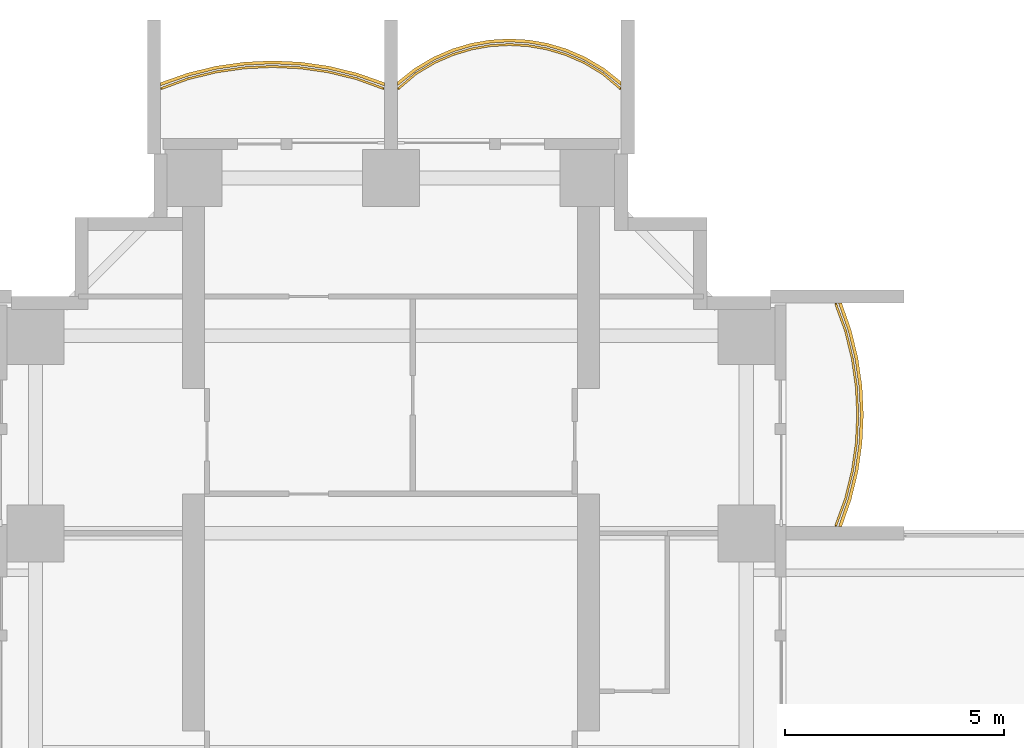
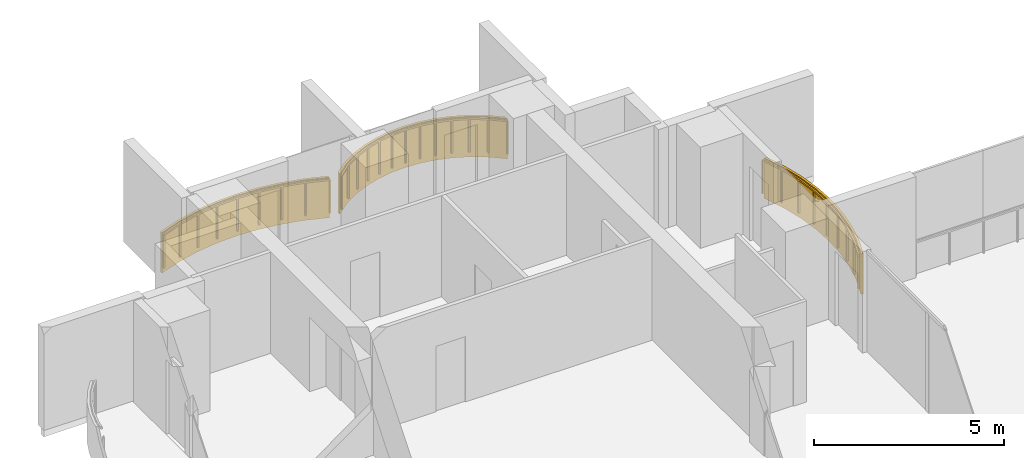
# One storey, part 20 of 20: 3 coverings, 3 railings.
"""IFC4 building model written with IfcOpenShell, lengths in metres."""

import ifcopenshell
import ifcopenshell.guid

model = None  # the IFC model being written
_history = None  # IfcOwnerHistory: only IFC2X3 demands one
_inside = {}  # id of a spatial element -> (the spatial element, [elements in it])
_under = {}  # id of a project, library or spatial element -> (it, [spatial elements below it])
_declared = {}  # id of a project -> (the project, [libraries it declares])
_typed = {}  # id of a type object -> (the type object, [elements of that type])
_made_of = {}  # id of a material, layer set ... -> (it, [elements and type objects made of it])


def new_model(schema):
    """Start an empty IFC model of exactly this schema.

    Asked for "IFC4X3", IfcOpenShell would pick the latest addendum, in which some entities
    have other attributes; the version numbers below select the first issue.
    IFC2X3 requires an IfcOwnerHistory on every rooted entity: one is made here for all.
    """
    global model, _history
    if schema == "IFC4X3":
        model = ifcopenshell.file(schema_version=(4, 3, 0, 0))
    else:
        model = ifcopenshell.file(schema=schema)
    _inside.clear()
    _under.clear()
    _declared.clear()
    _typed.clear()
    _made_of.clear()
    _history = None
    if model.schema == "IFC2X3":
        org = make("IfcOrganization", Name="unknown")
        user = make(
            "IfcPersonAndOrganization",
            ThePerson=make("IfcPerson", FamilyName="unknown"),
            TheOrganization=org,
        )
        app = make(
            "IfcApplication",
            ApplicationDeveloper=org,
            Version="unknown",
            ApplicationFullName="unknown",
            ApplicationIdentifier="unknown",
        )
        _history = make(
            "IfcOwnerHistory",
            OwningUser=user,
            OwningApplication=app,
            ChangeAction="ADDED",
            CreationDate=0,
        )
    return model


def make(cls, **values):
    """One entity of the class cls with the attributes given. An attribute that is None is left unset."""
    return model.create_entity(
        cls, **{name: value for name, value in values.items() if value is not None}
    )


def rooted(cls, **values):
    """An entity with a GlobalId (a new one), such as an element, a storey or a relation."""
    return make(cls, GlobalId=ifcopenshell.guid.new(), OwnerHistory=_history, **values)


def si_unit(unit_type, name, prefix=None):
    """IfcSIUnit, for example si_unit("LENGTHUNIT", "METRE", prefix="MILLI")."""
    return make("IfcSIUnit", UnitType=unit_type, Prefix=prefix, Name=name)


def assignment(units):
    """IfcUnitAssignment: the units of a project."""
    return None if units is None else make("IfcUnitAssignment", Units=units)


def point(xyz):
    """IfcCartesianPoint."""
    return None if xyz is None else make("IfcCartesianPoint", Coordinates=xyz)


def direction(xyz):
    """IfcDirection."""
    return None if xyz is None else make("IfcDirection", DirectionRatios=xyz)


def frame(location, z_axis=None, x_axis=None):
    """IfcAxis2Placement3D, a coordinate frame: its origin and axes. An axis left out is left unset."""
    return make(
        "IfcAxis2Placement3D",
        Location=point(location),
        Axis=direction(z_axis),
        RefDirection=direction(x_axis),
    )


def frame_2d(location, x_axis=None):
    """IfcAxis2Placement2D, a coordinate frame in the plane: its origin and x axis."""
    return make(
        "IfcAxis2Placement2D", Location=point(location), RefDirection=direction(x_axis)
    )


def origin():
    """The frame at (0, 0, 0) with its axes left unset."""
    return frame((0.0, 0.0, 0.0))


def origin_2d():
    """The frame at (0, 0) in the plane with its x axis left unset."""
    return frame_2d((0.0, 0.0))


def place(relative_to, where):
    """IfcLocalPlacement: puts the frame where relative to a parent placement (None: the world)."""
    return make(
        "IfcLocalPlacement", PlacementRelTo=relative_to, RelativePlacement=where
    )


def context(
    kind, dimensions, precision=None, world=None, true_north=None, identifier=None
):
    """IfcGeometricRepresentationContext, for example the 3D "Model" context."""
    return make(
        "IfcGeometricRepresentationContext",
        ContextIdentifier=identifier,
        ContextType=kind,
        CoordinateSpaceDimension=dimensions,
        Precision=precision,
        WorldCoordinateSystem=world,
        TrueNorth=true_north,
    )


def subcontext(parent, identifier, kind, view, scale=None):
    """IfcGeometricRepresentationSubContext, for example "Body" below "Model"."""
    return make(
        "IfcGeometricRepresentationSubContext",
        ContextIdentifier=identifier,
        ContextType=kind,
        ParentContext=parent,
        TargetScale=scale,
        TargetView=view,
    )


def project(units=None, contexts=None):
    """IfcProject with its units and contexts."""
    return rooted(
        "IfcProject",
        Name="project",
        RepresentationContexts=contexts,
        UnitsInContext=assignment(units),
    )


def spatial(cls, under=None, at=None, **own):
    """A site, building, storey or space (cls), placed at a placement, below another one or the project."""
    s = rooted(cls, ObjectPlacement=at, **own)
    if under is not None:
        _under.setdefault(under.id(), (under, []))[1].append(s)
    return s


def polyline(points):
    """IfcPolyline through the points."""
    return make("IfcPolyline", Points=[point(p) for p in points])


def profile(cls, at=None, kind="AREA", **sizes):
    """A parametric profile (cls). Its sizes go by their IFC names, for example OverallWidth=200.0."""
    return make(cls, ProfileType=kind, Position=at, **sizes)


def rectangle(**sizes):
    """IfcRectangleProfileDef."""
    return profile("IfcRectangleProfileDef", **sizes)


def outline(outer, holes=None, kind="AREA"):
    """IfcArbitraryClosedProfileDef: a profile drawn as a closed curve; with holes, ...WithVoids."""
    if holes is None:
        return make("IfcArbitraryClosedProfileDef", ProfileType=kind, OuterCurve=outer)
    return make(
        "IfcArbitraryProfileDefWithVoids",
        ProfileType=kind,
        OuterCurve=outer,
        InnerCurves=holes,
    )


def extrude(swept, where, along, depth):
    """IfcExtrudedAreaSolid: the profile swept, set in the frame where, extruded along a direction by depth."""
    return make(
        "IfcExtrudedAreaSolid",
        SweptArea=swept,
        Position=where,
        ExtrudedDirection=direction(along),
        Depth=depth,
    )


def shape(context_of_items, identifier, shape_type, items):
    """IfcShapeRepresentation: the items that make up one representation, for example the "Body"."""
    return make(
        "IfcShapeRepresentation",
        ContextOfItems=context_of_items,
        RepresentationIdentifier=identifier,
        RepresentationType=shape_type,
        Items=items,
    )


def material(Name=None, Category=None):
    """IfcMaterial."""
    return make("IfcMaterial", Name=Name, Category=Category)


def layer(
    of_material, thickness, ventilated=None, Name=None, Category=None, Priority=None
):
    """IfcMaterialLayer: one layer of a wall or slab, of a material (None: an air gap)."""
    return make(
        "IfcMaterialLayer",
        Material=of_material,
        LayerThickness=thickness,
        IsVentilated=ventilated,
        Name=Name,
        Category=Category,
        Priority=Priority,
    )


def layer_set(layers, Name=None):
    """IfcMaterialLayerSet."""
    return make("IfcMaterialLayerSet", MaterialLayers=layers, LayerSetName=Name)


def made_of(thing, what):
    """Note that an element or type object is made of a material, layer set ...; save() writes the relation."""
    if what is not None:
        _made_of.setdefault(what.id(), (what, []))[1].append(thing)
    return thing


def type_object(cls, material=None, **own):
    """A type object (cls), such as IfcWallType, which elements share."""
    return made_of(rooted(cls, **own), material)


def element(
    cls,
    number,
    at=None,
    inside=None,
    cuts=None,
    type_object=None,
    material=None,
    context=None,
    identifier="Body",
    shape_type=None,
    held_by="IfcProductDefinitionShape",
    body=None,
    shapes=None,
    **own,
):
    """One element of the class cls, such as IfcWall. Its Tag is "e" and its number.

    at: its placement. inside: the storey or other place that contains it. cuts: it is an
    opening in that element (IfcRelVoidsElement). A single representation is given by context,
    identifier, shape_type and body (its items); several are given by shapes. held_by: the class
    of the entity that holds the representations. save() writes the other relations.
    """
    e = rooted(cls, Tag="e%d" % number, ObjectPlacement=at, **own)
    if body is not None:
        shapes = [shape(context, identifier, shape_type, body)]
    if shapes is not None:
        e.Representation = make(held_by, Representations=shapes)
    if inside is not None:
        _inside.setdefault(inside.id(), (inside, []))[1].append(e)
    if cuts is not None:
        rooted(
            "IfcRelVoidsElement", RelatingBuildingElement=cuts, RelatedOpeningElement=e
        )
    if type_object is not None:
        _typed.setdefault(type_object.id(), (type_object, []))[1].append(e)
    return made_of(e, material)


def aggregate(whole, parts):
    """IfcRelAggregates: a whole, such as a stair, and the parts it consists of."""
    return rooted("IfcRelAggregates", RelatingObject=whole, RelatedObjects=parts)


def save(model, path):
    """Write the relations noted so far, then the file.

    IfcRelAggregates (storeys below a building ...), IfcRelContainedInSpatialStructure (elements
    in a storey), IfcRelDefinesByType, IfcRelAssociatesMaterial and IfcRelDeclares: one each for
    every whole, place, type object, material and project.
    """
    for whole, parts in _under.values():
        aggregate(whole, parts)
    for where, things in _inside.values():
        rooted(
            "IfcRelContainedInSpatialStructure",
            RelatedElements=things,
            RelatingStructure=where,
        )
    for kind, things in _typed.values():
        rooted("IfcRelDefinesByType", RelatedObjects=things, RelatingType=kind)
    for what, things in _made_of.values():
        rooted("IfcRelAssociatesMaterial", RelatedObjects=things, RelatingMaterial=what)
    for by, libraries in _declared.values():
        rooted("IfcRelDeclares", RelatingContext=by, RelatedDefinitions=libraries)
    model.write(path)


model = new_model("IFC4")

# Units and contexts
model_context = context("Model", 3, precision=1e-05, world=origin(), true_north=direction((0.0, 1.0)))
body_context = subcontext(model_context, "Body", "Model", "MODEL_VIEW")
ifc_project = project(units=[si_unit("LENGTHUNIT", "METRE"), si_unit("AREAUNIT", "SQUARE_METRE"), si_unit("VOLUMEUNIT", "CUBIC_METRE"), si_unit("PLANEANGLEUNIT", "RADIAN"), si_unit("MASSUNIT", "GRAM", prefix="KILO")], contexts=[model_context])

# Site, building, storey
site_placement = place(None, origin())
site = spatial("IfcSite", under=ifc_project, at=site_placement, CompositionType="ELEMENT")
building_placement = place(site_placement, origin())
building = spatial("IfcBuilding", under=site, at=building_placement, Name="Perihelion Cross Residences", CompositionType="ELEMENT")
storey_placement = place(building_placement, frame((0.0, 0.0, 71.5)))
storey = spatial("IfcBuildingStorey", under=building, at=storey_placement, Name="L15", CompositionType="ELEMENT", Elevation=71.5)

# Coverings
ifc_material_1 = material(Name="Bronze anodised aluminium", Category="aluminium")
ifc_layer = layer(ifc_material_1, 0.070068359375)
ifc_layer_set = layer_set([ifc_layer], Name="Balcony fascia 1300")
covering_type = type_object("IfcCoveringType", Name="Balcony fascia 1300", PredefinedType="CLADDING", material=ifc_layer_set)
covering_1_placement = place(storey_placement, frame((0.0, 0.0, -0.199951171875)))
element("IfcCovering", 1, at=covering_1_placement, inside=storey, type_object=covering_type, Name="Fascia BF1 L15 north side east bay 2", PredefinedType="CLADDING", context=body_context, shape_type="SweptSolid", body=[
    extrude(outline(polyline([(10.49072265625, 18.767578125), (10.647216796875, 19.411865234375), (10.739501953125, 20.055908203125), (10.77001953125, 20.699951171875), (10.739501953125, 21.34423828125), (10.647216796875, 21.98828125), (10.49072265625, 22.63232421875), (10.274169921875, 23.25), (10.199951171875, 23.25), (10.423583984375, 22.612548828125), (10.57861328125, 21.97509765625), (10.669921875, 21.33740234375), (10.699951171875, 20.699951171875), (10.669921875, 20.0625), (10.57861328125, 19.425048828125), (10.423583984375, 18.78759765625), (10.199951171875, 18.14990234375), (10.274169921875, 18.14990234375), (10.49072265625, 18.767578125)])), origin(), (0.0, 0.0, 1.0), 1.300048828125),
])
covering_2_placement = place(storey_placement, frame((0.0, 0.0, -0.199951171875)))
element("IfcCovering", 2, at=covering_2_placement, inside=storey, type_object=covering_type, Name="Fascia BF1 L15 north tip north bay 1", PredefinedType="CLADDING", context=body_context, shape_type="SweptSolid", body=[
    extrude(outline(polyline([(4.86474609375, 28.59765625), (4.431884765625, 28.85498046875), (3.998779296875, 29.04248046875), (3.56591796875, 29.170654296875), (3.133056640625, 29.245361328125), (2.699951171875, 29.27001953125), (2.26708984375, 29.245361328125), (1.833984375, 29.170654296875), (1.401123046875, 29.04248046875), (0.96826171875, 28.85498046875), (0.53515625, 28.59765625), (0.14990234375, 28.28955078125), (0.14990234375, 28.199951171875), (0.574951171875, 28.5400390625), (1.0, 28.792724609375), (1.425048828125, 28.9765625), (1.85009765625, 29.1025390625), (2.27490234375, 29.17578125), (2.699951171875, 29.199951171875), (3.125, 29.17578125), (3.550048828125, 29.1025390625), (3.97509765625, 28.9765625), (4.39990234375, 28.792724609375), (4.824951171875, 28.5400390625), (5.25, 28.199951171875), (5.25, 28.28955078125), (4.86474609375, 28.59765625)])), origin(), (0.0, 0.0, 1.0), 1.300048828125),
])
covering_3_placement = place(storey_placement, frame((0.0, 0.0, -0.199951171875)))
element("IfcCovering", 3, at=covering_3_placement, inside=storey, type_object=covering_type, Name="Fascia BF1 L15 north tip north bay 2", PredefinedType="CLADDING", context=body_context, shape_type="SweptSolid", body=[
    extrude(outline(polyline([(-0.767578125, 28.49072265625), (-1.411865234375, 28.647216796875), (-2.055908203125, 28.739501953125), (-2.699951171875, 28.77001953125), (-3.34423828125, 28.739501953125), (-3.98828125, 28.647216796875), (-4.63232421875, 28.49072265625), (-5.25, 28.274169921875), (-5.25, 28.199951171875), (-4.612548828125, 28.423583984375), (-3.97509765625, 28.57861328125), (-3.33740234375, 28.669921875), (-2.699951171875, 28.699951171875), (-2.0625, 28.669921875), (-1.425048828125, 28.57861328125), (-0.78759765625, 28.423583984375), (-0.14990234375, 28.199951171875), (-0.14990234375, 28.274169921875), (-0.767578125, 28.49072265625)])), origin(), (0.0, 0.0, 1.0), 1.300048828125),
])

# Railings
ifc_material_2 = material(Name="Bronze anodised aluminium", Category="aluminium")
railing_type = type_object("IfcRailingType", Name="Balcony guard 1100", PredefinedType="GUARDRAIL", material=ifc_material_2)
railing_1_placement = place(storey_placement, frame((10.139892578125, 18.175048828125, 0.0)))
element("IfcRailing", 4, at=railing_1_placement, inside=storey, type_object=railing_type, Name="Guard GU1 L15 north side east bay 2 balcony", PredefinedType="GUARDRAIL", context=body_context, shape_type="SweptSolid", body=[
    extrude(rectangle(XDim=0.048095703125, YDim=0.048095703125, at=origin_2d()), frame((0.0, 0.0, 1.076171875), z_axis=(0.342945217749, 0.939355405384, 0.0), x_axis=(-0.939355405384, 0.342945217749, 0.0)), (0.0, 0.0, 1.0), 0.652099609375),
    extrude(rectangle(XDim=0.048095703125, YDim=0.048095703125, at=origin_2d()), frame((0.2236328125, 0.612548828125, 1.076171875), z_axis=(0.236313594268, 0.971676841941, 0.0), x_axis=(-0.971676841941, 0.236313594268, 0.0)), (0.0, 0.0, 1.0), 0.656005859375),
    extrude(rectangle(XDim=0.048095703125, YDim=0.048095703125, at=origin_2d()), frame((0.378662109375, 1.25, 1.076171875), z_axis=(0.141792889142, 0.989896346386, 0.0), x_axis=(-0.989896346386, 0.141792889142, 0.0)), (0.0, 0.0, 1.0), 0.64404296875),
    extrude(rectangle(XDim=0.048095703125, YDim=0.048095703125, at=origin_2d()), frame((0.469970703125, 1.887451171875, 1.076171875), z_axis=(0.04705620296, 0.998892243319, 0.0), x_axis=(-0.998892243319, 0.04705620296, 0.0)), (0.0, 0.0, 1.0), 0.63818359375),
    extrude(rectangle(XDim=0.048095703125, YDim=0.048095703125, at=origin_2d()), frame((0.5, 2.52490234375, 1.076171875), z_axis=(-0.04705620296, 0.998892243319, 0.0), x_axis=(-0.998892243319, -0.04705620296, 0.0)), (0.0, 0.0, 1.0), 0.63818359375),
    extrude(rectangle(XDim=0.048095703125, YDim=0.048095703125, at=origin_2d()), frame((0.469970703125, 3.162353515625, 1.076171875), z_axis=(-0.141739694763, 0.989903964498, 0.0), x_axis=(-0.989903964498, -0.141739694763, 0.0)), (0.0, 0.0, 1.0), 0.644287109375),
    extrude(rectangle(XDim=0.048095703125, YDim=0.048095703125, at=origin_2d()), frame((0.378662109375, 3.800048828125, 1.076171875), z_axis=(-0.236313594268, 0.971676841941, 0.0), x_axis=(-0.971676841941, -0.236313594268, 0.0)), (0.0, 0.0, 1.0), 0.656005859375),
    extrude(rectangle(XDim=0.048095703125, YDim=0.048095703125, at=origin_2d()), frame((0.2236328125, 4.4375, 1.076171875), z_axis=(-0.342945217749, 0.939355405384, 0.0), x_axis=(-0.939355405384, -0.342945217749, 0.0)), (0.0, 0.0, 1.0), 0.652099609375),
    extrude(rectangle(XDim=0.0419921875, YDim=0.0419921875, at=origin_2d()), origin(), (0.0, 0.0, 1.0), 1.052001953125),
    extrude(rectangle(XDim=0.0419921875, YDim=0.0419921875, at=origin_2d()), frame((0.2236328125, 0.612548828125, 0.0)), (0.0, 0.0, 1.0), 1.052001953125),
    extrude(rectangle(XDim=0.0419921875, YDim=0.0419921875, at=origin_2d()), frame((0.378662109375, 1.25, 0.0)), (0.0, 0.0, 1.0), 1.052001953125),
    extrude(rectangle(XDim=0.0419921875, YDim=0.0419921875, at=origin_2d()), frame((0.469970703125, 1.887451171875, 0.0)), (0.0, 0.0, 1.0), 1.052001953125),
    extrude(rectangle(XDim=0.0419921875, YDim=0.0419921875, at=origin_2d()), frame((0.5, 2.52490234375, 0.0)), (0.0, 0.0, 1.0), 1.052001953125),
    extrude(rectangle(XDim=0.0419921875, YDim=0.0419921875, at=origin_2d()), frame((0.469970703125, 3.162353515625, 0.0)), (0.0, 0.0, 1.0), 1.052001953125),
    extrude(rectangle(XDim=0.0419921875, YDim=0.0419921875, at=origin_2d()), frame((0.378662109375, 3.800048828125, 0.0)), (0.0, 0.0, 1.0), 1.052001953125),
    extrude(rectangle(XDim=0.0419921875, YDim=0.0419921875, at=origin_2d()), frame((0.2236328125, 4.4375, 0.0)), (0.0, 0.0, 1.0), 1.052001953125),
    extrude(rectangle(XDim=0.0419921875, YDim=0.0419921875, at=origin_2d()), frame((0.0, 5.050048828125, 0.0)), (0.0, 0.0, 1.0), 1.052001953125),
])
railing_2_placement = place(storey_placement, frame((5.22509765625, 28.139892578125, 0.0)))
element("IfcRailing", 5, at=railing_2_placement, inside=storey, type_object=railing_type, Name="Guard GU1 L15 north tip north bay 1 balcony", PredefinedType="GUARDRAIL", context=body_context, shape_type="SweptSolid", body=[
    extrude(rectangle(XDim=0.048095703125, YDim=0.048095703125, at=origin_2d()), frame((0.0, 0.0, 1.076171875), z_axis=(-0.761973728849, 0.647607934281, 0.0), x_axis=(-0.647607934281, -0.761973728849, 0.0)), (0.0, 0.0, 1.0), 0.525146484375),
    extrude(rectangle(XDim=0.048095703125, YDim=0.048095703125, at=origin_2d()), frame((-0.400146484375, 0.340087890625, 1.076171875), z_axis=(-0.859576918062, 0.511006381501, 0.0), x_axis=(-0.511006381501, -0.859576918062, 0.0)), (0.0, 0.0, 1.0), 0.494384765625),
    extrude(rectangle(XDim=0.048095703125, YDim=0.048095703125, at=origin_2d()), frame((-0.8251953125, 0.5927734375, 1.076171875), z_axis=(-0.91755562531, 0.397607437634, 0.0), x_axis=(-0.397607437634, -0.91755562531, 0.0)), (0.0, 0.0, 1.0), 0.462890625),
    extrude(rectangle(XDim=0.048095703125, YDim=0.048095703125, at=origin_2d()), frame((-1.25, 0.77685546875, 1.076171875), z_axis=(-0.958925815697, 0.283656975924, 0.0), x_axis=(-0.283656975924, -0.958925815697, 0.0)), (0.0, 0.0, 1.0), 0.443359375),
    extrude(rectangle(XDim=0.048095703125, YDim=0.048095703125, at=origin_2d()), frame((-1.675048828125, 0.902587890625, 1.076171875), z_axis=(-0.985381583142, 0.17036177859, 0.0), x_axis=(-0.17036177859, -0.985381583142, 0.0)), (0.0, 0.0, 1.0), 0.431396484375),
    extrude(rectangle(XDim=0.048095703125, YDim=0.048095703125, at=origin_2d()), frame((-2.10009765625, 0.97607421875, 1.076171875), z_axis=(-0.9984195016, 0.056200523353, 0.0), x_axis=(-0.056200523353, -0.9984195016, 0.0)), (0.0, 0.0, 1.0), 0.42578125),
    extrude(rectangle(XDim=0.048095703125, YDim=0.048095703125, at=origin_2d()), frame((-2.525146484375, 1.0, 1.076171875), z_axis=(-0.9984195016, -0.056200523353, 0.0), x_axis=(0.056200523353, -0.9984195016, 0.0)), (0.0, 0.0, 1.0), 0.42578125),
    extrude(rectangle(XDim=0.048095703125, YDim=0.048095703125, at=origin_2d()), frame((-2.9501953125, 0.97607421875, 1.076171875), z_axis=(-0.985365142702, -0.170456843651, 0.0), x_axis=(0.170456843651, -0.985365142702, 0.0)), (0.0, 0.0, 1.0), 0.43115234375),
    extrude(rectangle(XDim=0.048095703125, YDim=0.048095703125, at=origin_2d()), frame((-3.375, 0.902587890625, 1.076171875), z_axis=(-0.958925815697, -0.283656975924, 0.0), x_axis=(0.283656975924, -0.958925815697, 0.0)), (0.0, 0.0, 1.0), 0.443359375),
    extrude(rectangle(XDim=0.048095703125, YDim=0.048095703125, at=origin_2d()), frame((-3.800048828125, 0.77685546875, 1.076171875), z_axis=(-0.917638931453, -0.397415137459, 0.0), x_axis=(0.397415137459, -0.917638931453, 0.0)), (0.0, 0.0, 1.0), 0.463134765625),
    extrude(rectangle(XDim=0.048095703125, YDim=0.048095703125, at=origin_2d()), frame((-4.22509765625, 0.5927734375, 1.076171875), z_axis=(-0.859576918062, -0.511006381501, 0.0), x_axis=(0.511006381501, -0.859576918062, 0.0)), (0.0, 0.0, 1.0), 0.494384765625),
    extrude(rectangle(XDim=0.048095703125, YDim=0.048095703125, at=origin_2d()), frame((-4.650146484375, 0.340087890625, 1.076171875), z_axis=(-0.761778647315, -0.647837396648, 0.0), x_axis=(0.647837396648, -0.761778647315, 0.0)), (0.0, 0.0, 1.0), 0.52490234375),
    extrude(rectangle(XDim=0.0419921875, YDim=0.0419921875, at=origin_2d()), origin(), (0.0, 0.0, 1.0), 1.052001953125),
    extrude(rectangle(XDim=0.0419921875, YDim=0.0419921875, at=origin_2d()), frame((-0.400146484375, 0.340087890625, 0.0)), (0.0, 0.0, 1.0), 1.052001953125),
    extrude(rectangle(XDim=0.0419921875, YDim=0.0419921875, at=origin_2d()), frame((-0.8251953125, 0.5927734375, 0.0)), (0.0, 0.0, 1.0), 1.052001953125),
    extrude(rectangle(XDim=0.0419921875, YDim=0.0419921875, at=origin_2d()), frame((-1.25, 0.77685546875, 0.0)), (0.0, 0.0, 1.0), 1.052001953125),
    extrude(rectangle(XDim=0.0419921875, YDim=0.0419921875, at=origin_2d()), frame((-1.675048828125, 0.902587890625, 0.0)), (0.0, 0.0, 1.0), 1.052001953125),
    extrude(rectangle(XDim=0.0419921875, YDim=0.0419921875, at=origin_2d()), frame((-2.10009765625, 0.97607421875, 0.0)), (0.0, 0.0, 1.0), 1.052001953125),
    extrude(rectangle(XDim=0.0419921875, YDim=0.0419921875, at=origin_2d()), frame((-2.525146484375, 1.0, 0.0)), (0.0, 0.0, 1.0), 1.052001953125),
    extrude(rectangle(XDim=0.0419921875, YDim=0.0419921875, at=origin_2d()), frame((-2.9501953125, 0.97607421875, 0.0)), (0.0, 0.0, 1.0), 1.052001953125),
    extrude(rectangle(XDim=0.0419921875, YDim=0.0419921875, at=origin_2d()), frame((-3.375, 0.902587890625, 0.0)), (0.0, 0.0, 1.0), 1.052001953125),
    extrude(rectangle(XDim=0.0419921875, YDim=0.0419921875, at=origin_2d()), frame((-3.800048828125, 0.77685546875, 0.0)), (0.0, 0.0, 1.0), 1.052001953125),
    extrude(rectangle(XDim=0.0419921875, YDim=0.0419921875, at=origin_2d()), frame((-4.22509765625, 0.5927734375, 0.0)), (0.0, 0.0, 1.0), 1.052001953125),
    extrude(rectangle(XDim=0.0419921875, YDim=0.0419921875, at=origin_2d()), frame((-4.650146484375, 0.340087890625, 0.0)), (0.0, 0.0, 1.0), 1.052001953125),
    extrude(rectangle(XDim=0.0419921875, YDim=0.0419921875, at=origin_2d()), frame((-5.050048828125, 0.0, 0.0)), (0.0, 0.0, 1.0), 1.052001953125),
])
railing_3_placement = place(storey_placement, frame((-0.175048828125, 28.139892578125, 0.0)))
element("IfcRailing", 6, at=railing_3_placement, inside=storey, type_object=railing_type, Name="Guard GU1 L15 north tip north bay 2 balcony", PredefinedType="GUARDRAIL", context=body_context, shape_type="SweptSolid", body=[
    extrude(rectangle(XDim=0.048095703125, YDim=0.048095703125, at=origin_2d()), frame((0.0, 0.0, 1.076171875), z_axis=(-0.939355405384, 0.342945217749, 0.0), x_axis=(-0.342945217749, -0.939355405384, 0.0)), (0.0, 0.0, 1.0), 0.652099609375),
    extrude(rectangle(XDim=0.048095703125, YDim=0.048095703125, at=origin_2d()), frame((-0.612548828125, 0.2236328125, 1.076171875), z_axis=(-0.971676841941, 0.236313594268, 0.0), x_axis=(-0.236313594268, -0.971676841941, 0.0)), (0.0, 0.0, 1.0), 0.656005859375),
    extrude(rectangle(XDim=0.048095703125, YDim=0.048095703125, at=origin_2d()), frame((-1.25, 0.378662109375, 1.076171875), z_axis=(-0.989896346386, 0.141792889142, 0.0), x_axis=(-0.141792889142, -0.989896346386, 0.0)), (0.0, 0.0, 1.0), 0.64404296875),
    extrude(rectangle(XDim=0.048095703125, YDim=0.048095703125, at=origin_2d()), frame((-1.887451171875, 0.469970703125, 1.076171875), z_axis=(-0.998892243319, 0.04705620296, 0.0), x_axis=(-0.04705620296, -0.998892243319, 0.0)), (0.0, 0.0, 1.0), 0.63818359375),
    extrude(rectangle(XDim=0.048095703125, YDim=0.048095703125, at=origin_2d()), frame((-2.52490234375, 0.5, 1.076171875), z_axis=(-0.998892243319, -0.04705620296, 0.0), x_axis=(0.04705620296, -0.998892243319, 0.0)), (0.0, 0.0, 1.0), 0.63818359375),
    extrude(rectangle(XDim=0.048095703125, YDim=0.048095703125, at=origin_2d()), frame((-3.162353515625, 0.469970703125, 1.076171875), z_axis=(-0.989903964498, -0.141739694763, 0.0), x_axis=(0.141739694763, -0.989903964498, 0.0)), (0.0, 0.0, 1.0), 0.644287109375),
    extrude(rectangle(XDim=0.048095703125, YDim=0.048095703125, at=origin_2d()), frame((-3.800048828125, 0.378662109375, 1.076171875), z_axis=(-0.971676841941, -0.236313594268, 0.0), x_axis=(0.236313594268, -0.971676841941, 0.0)), (0.0, 0.0, 1.0), 0.656005859375),
    extrude(rectangle(XDim=0.048095703125, YDim=0.048095703125, at=origin_2d()), frame((-4.4375, 0.2236328125, 1.076171875), z_axis=(-0.939355405384, -0.342945217749, 0.0), x_axis=(0.342945217749, -0.939355405384, 0.0)), (0.0, 0.0, 1.0), 0.652099609375),
    extrude(rectangle(XDim=0.0419921875, YDim=0.0419921875, at=origin_2d()), origin(), (0.0, 0.0, 1.0), 1.052001953125),
    extrude(rectangle(XDim=0.0419921875, YDim=0.0419921875, at=origin_2d()), frame((-0.612548828125, 0.2236328125, 0.0)), (0.0, 0.0, 1.0), 1.052001953125),
    extrude(rectangle(XDim=0.0419921875, YDim=0.0419921875, at=origin_2d()), frame((-1.25, 0.378662109375, 0.0)), (0.0, 0.0, 1.0), 1.052001953125),
    extrude(rectangle(XDim=0.0419921875, YDim=0.0419921875, at=origin_2d()), frame((-1.887451171875, 0.469970703125, 0.0)), (0.0, 0.0, 1.0), 1.052001953125),
    extrude(rectangle(XDim=0.0419921875, YDim=0.0419921875, at=origin_2d()), frame((-2.52490234375, 0.5, 0.0)), (0.0, 0.0, 1.0), 1.052001953125),
    extrude(rectangle(XDim=0.0419921875, YDim=0.0419921875, at=origin_2d()), frame((-3.162353515625, 0.469970703125, 0.0)), (0.0, 0.0, 1.0), 1.052001953125),
    extrude(rectangle(XDim=0.0419921875, YDim=0.0419921875, at=origin_2d()), frame((-3.800048828125, 0.378662109375, 0.0)), (0.0, 0.0, 1.0), 1.052001953125),
    extrude(rectangle(XDim=0.0419921875, YDim=0.0419921875, at=origin_2d()), frame((-4.4375, 0.2236328125, 0.0)), (0.0, 0.0, 1.0), 1.052001953125),
    extrude(rectangle(XDim=0.0419921875, YDim=0.0419921875, at=origin_2d()), frame((-5.050048828125, 0.0, 0.0)), (0.0, 0.0, 1.0), 1.052001953125),
])

save(model, "model.ifc")
